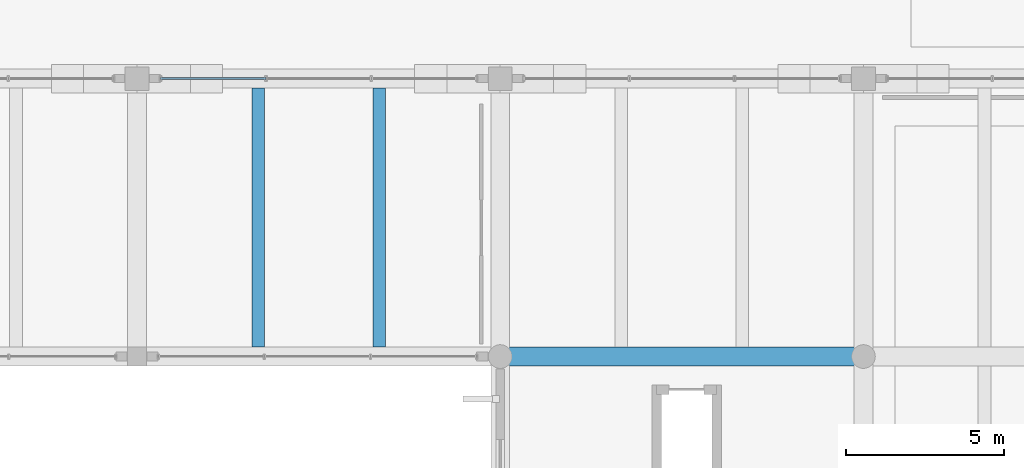
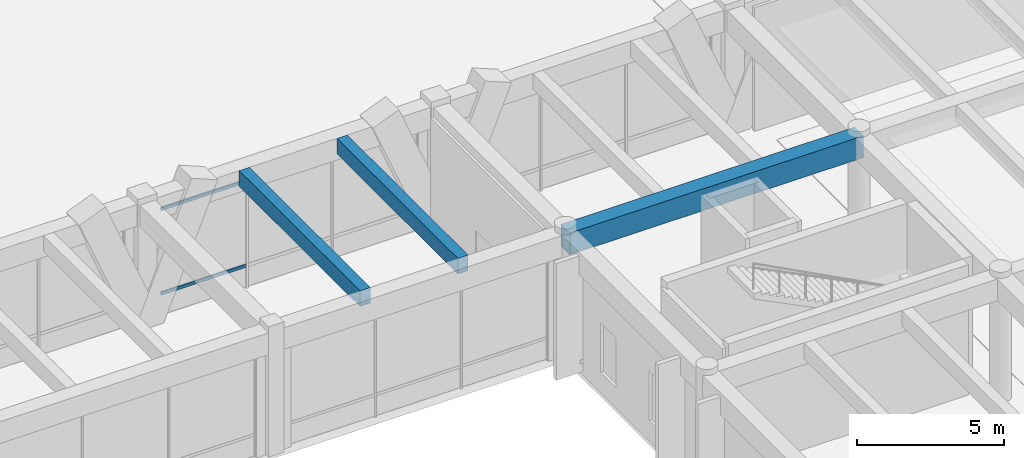
# One storey, part 20 of 148: 3 beams, 2 members, 1 element without a shape of its own.
"""IFC4 building model written with IfcOpenShell, lengths in metres."""

import ifcopenshell
import ifcopenshell.guid

model = None  # the IFC model being written
_history = None  # IfcOwnerHistory: only IFC2X3 demands one
_inside = {}  # id of a spatial element -> (the spatial element, [elements in it])
_under = {}  # id of a project, library or spatial element -> (it, [spatial elements below it])
_declared = {}  # id of a project -> (the project, [libraries it declares])
_typed = {}  # id of a type object -> (the type object, [elements of that type])
_made_of = {}  # id of a material, layer set ... -> (it, [elements and type objects made of it])


def new_model(schema):
    """Start an empty IFC model of exactly this schema.

    Asked for "IFC4X3", IfcOpenShell would pick the latest addendum, in which some entities
    have other attributes; the version numbers below select the first issue.
    IFC2X3 requires an IfcOwnerHistory on every rooted entity: one is made here for all.
    """
    global model, _history
    if schema == "IFC4X3":
        model = ifcopenshell.file(schema_version=(4, 3, 0, 0))
    else:
        model = ifcopenshell.file(schema=schema)
    _inside.clear()
    _under.clear()
    _declared.clear()
    _typed.clear()
    _made_of.clear()
    _history = None
    if model.schema == "IFC2X3":
        org = make("IfcOrganization", Name="unknown")
        user = make(
            "IfcPersonAndOrganization",
            ThePerson=make("IfcPerson", FamilyName="unknown"),
            TheOrganization=org,
        )
        app = make(
            "IfcApplication",
            ApplicationDeveloper=org,
            Version="unknown",
            ApplicationFullName="unknown",
            ApplicationIdentifier="unknown",
        )
        _history = make(
            "IfcOwnerHistory",
            OwningUser=user,
            OwningApplication=app,
            ChangeAction="ADDED",
            CreationDate=0,
        )
    return model


def make(cls, **values):
    """One entity of the class cls with the attributes given. An attribute that is None is left unset."""
    return model.create_entity(
        cls, **{name: value for name, value in values.items() if value is not None}
    )


def rooted(cls, **values):
    """An entity with a GlobalId (a new one), such as an element, a storey or a relation."""
    return make(cls, GlobalId=ifcopenshell.guid.new(), OwnerHistory=_history, **values)


def si_unit(unit_type, name, prefix=None):
    """IfcSIUnit, for example si_unit("LENGTHUNIT", "METRE", prefix="MILLI")."""
    return make("IfcSIUnit", UnitType=unit_type, Prefix=prefix, Name=name)


def assignment(units):
    """IfcUnitAssignment: the units of a project."""
    return None if units is None else make("IfcUnitAssignment", Units=units)


def point(xyz):
    """IfcCartesianPoint."""
    return None if xyz is None else make("IfcCartesianPoint", Coordinates=xyz)


def direction(xyz):
    """IfcDirection."""
    return None if xyz is None else make("IfcDirection", DirectionRatios=xyz)


def frame(location, z_axis=None, x_axis=None):
    """IfcAxis2Placement3D, a coordinate frame: its origin and axes. An axis left out is left unset."""
    return make(
        "IfcAxis2Placement3D",
        Location=point(location),
        Axis=direction(z_axis),
        RefDirection=direction(x_axis),
    )


def frame_2d(location, x_axis=None):
    """IfcAxis2Placement2D, a coordinate frame in the plane: its origin and x axis."""
    return make(
        "IfcAxis2Placement2D", Location=point(location), RefDirection=direction(x_axis)
    )


def origin():
    """The frame at (0, 0, 0) with its axes left unset."""
    return frame((0.0, 0.0, 0.0))


def origin_2d():
    """The frame at (0, 0) in the plane with its x axis left unset."""
    return frame_2d((0.0, 0.0))


def place(relative_to, where):
    """IfcLocalPlacement: puts the frame where relative to a parent placement (None: the world)."""
    return make(
        "IfcLocalPlacement", PlacementRelTo=relative_to, RelativePlacement=where
    )


def context(
    kind, dimensions, precision=None, world=None, true_north=None, identifier=None
):
    """IfcGeometricRepresentationContext, for example the 3D "Model" context."""
    return make(
        "IfcGeometricRepresentationContext",
        ContextIdentifier=identifier,
        ContextType=kind,
        CoordinateSpaceDimension=dimensions,
        Precision=precision,
        WorldCoordinateSystem=world,
        TrueNorth=true_north,
    )


def subcontext(parent, identifier, kind, view, scale=None):
    """IfcGeometricRepresentationSubContext, for example "Body" below "Model"."""
    return make(
        "IfcGeometricRepresentationSubContext",
        ContextIdentifier=identifier,
        ContextType=kind,
        ParentContext=parent,
        TargetScale=scale,
        TargetView=view,
    )


def project(units=None, contexts=None):
    """IfcProject with its units and contexts."""
    return rooted(
        "IfcProject",
        Name="project",
        RepresentationContexts=contexts,
        UnitsInContext=assignment(units),
    )


def spatial(cls, under=None, at=None, **own):
    """A site, building, storey or space (cls), placed at a placement, below another one or the project."""
    s = rooted(cls, ObjectPlacement=at, **own)
    if under is not None:
        _under.setdefault(under.id(), (under, []))[1].append(s)
    return s


def profile(cls, at=None, kind="AREA", **sizes):
    """A parametric profile (cls). Its sizes go by their IFC names, for example OverallWidth=200.0."""
    return make(cls, ProfileType=kind, Position=at, **sizes)


def rectangle(**sizes):
    """IfcRectangleProfileDef."""
    return profile("IfcRectangleProfileDef", **sizes)


def hollow_rectangle(**sizes):
    """IfcRectangleHollowProfileDef."""
    return profile("IfcRectangleHollowProfileDef", **sizes)


def extrude(swept, where, along, depth):
    """IfcExtrudedAreaSolid: the profile swept, set in the frame where, extruded along a direction by depth."""
    return make(
        "IfcExtrudedAreaSolid",
        SweptArea=swept,
        Position=where,
        ExtrudedDirection=direction(along),
        Depth=depth,
    )


def shape(context_of_items, identifier, shape_type, items):
    """IfcShapeRepresentation: the items that make up one representation, for example the "Body"."""
    return make(
        "IfcShapeRepresentation",
        ContextOfItems=context_of_items,
        RepresentationIdentifier=identifier,
        RepresentationType=shape_type,
        Items=items,
    )


def material(Name=None, Category=None):
    """IfcMaterial."""
    return make("IfcMaterial", Name=Name, Category=Category)


def material_profile(
    of_material, cross_section, Name=None, Category=None, Priority=None
):
    """IfcMaterialProfile: a cross section and its material."""
    return make(
        "IfcMaterialProfile",
        Name=Name,
        Material=of_material,
        Profile=cross_section,
        Priority=Priority,
        Category=Category,
    )


def profile_set(profiles, Name=None, composite=None):
    """IfcMaterialProfileSet."""
    return make(
        "IfcMaterialProfileSet",
        Name=Name,
        MaterialProfiles=profiles,
        CompositeProfile=composite,
    )


def made_of(thing, what):
    """Note that an element or type object is made of a material, layer set ...; save() writes the relation."""
    if what is not None:
        _made_of.setdefault(what.id(), (what, []))[1].append(thing)
    return thing


def type_object(cls, material=None, **own):
    """A type object (cls), such as IfcWallType, which elements share."""
    return made_of(rooted(cls, **own), material)


def element(
    cls,
    number,
    at=None,
    inside=None,
    cuts=None,
    type_object=None,
    material=None,
    context=None,
    identifier="Body",
    shape_type=None,
    held_by="IfcProductDefinitionShape",
    body=None,
    shapes=None,
    **own,
):
    """One element of the class cls, such as IfcWall. Its Tag is "e" and its number.

    at: its placement. inside: the storey or other place that contains it. cuts: it is an
    opening in that element (IfcRelVoidsElement). A single representation is given by context,
    identifier, shape_type and body (its items); several are given by shapes. held_by: the class
    of the entity that holds the representations. save() writes the other relations.
    """
    e = rooted(cls, Tag="e%d" % number, ObjectPlacement=at, **own)
    if body is not None:
        shapes = [shape(context, identifier, shape_type, body)]
    if shapes is not None:
        e.Representation = make(held_by, Representations=shapes)
    if inside is not None:
        _inside.setdefault(inside.id(), (inside, []))[1].append(e)
    if cuts is not None:
        rooted(
            "IfcRelVoidsElement", RelatingBuildingElement=cuts, RelatedOpeningElement=e
        )
    if type_object is not None:
        _typed.setdefault(type_object.id(), (type_object, []))[1].append(e)
    return made_of(e, material)


def aggregate(whole, parts):
    """IfcRelAggregates: a whole, such as a stair, and the parts it consists of."""
    return rooted("IfcRelAggregates", RelatingObject=whole, RelatedObjects=parts)


def save(model, path):
    """Write the relations noted so far, then the file.

    IfcRelAggregates (storeys below a building ...), IfcRelContainedInSpatialStructure (elements
    in a storey), IfcRelDefinesByType, IfcRelAssociatesMaterial and IfcRelDeclares: one each for
    every whole, place, type object, material and project.
    """
    for whole, parts in _under.values():
        aggregate(whole, parts)
    for where, things in _inside.values():
        rooted(
            "IfcRelContainedInSpatialStructure",
            RelatedElements=things,
            RelatingStructure=where,
        )
    for kind, things in _typed.values():
        rooted("IfcRelDefinesByType", RelatedObjects=things, RelatingType=kind)
    for what, things in _made_of.values():
        rooted("IfcRelAssociatesMaterial", RelatedObjects=things, RelatingMaterial=what)
    for by, libraries in _declared.values():
        rooted("IfcRelDeclares", RelatingContext=by, RelatedDefinitions=libraries)
    model.write(path)


model = new_model("IFC4")

# Units and contexts
model_context = context("Model", 3, precision=1e-05, world=origin(), true_north=direction((0.0, 1.0)))
body_context = subcontext(model_context, "Body", "Model", "MODEL_VIEW")
ifc_project = project(units=[si_unit("LENGTHUNIT", "METRE"), si_unit("AREAUNIT", "SQUARE_METRE"), si_unit("VOLUMEUNIT", "CUBIC_METRE"), si_unit("PLANEANGLEUNIT", "RADIAN"), si_unit("MASSUNIT", "GRAM", prefix="KILO")], contexts=[model_context])

# Site, building, storey
site_placement = place(None, origin())
site = spatial("IfcSite", under=ifc_project, at=site_placement, CompositionType="ELEMENT")
building_placement = place(site_placement, origin())
building = spatial("IfcBuilding", under=site, at=building_placement, Name="Ologun Quay Terminus", CompositionType="ELEMENT")
storey_placement = place(building_placement, frame((0.0, 0.0, 8.39990234375)))
storey = spatial("IfcBuildingStorey", under=building, at=storey_placement, Name="L02", CompositionType="ELEMENT", Elevation=8.39990234375)

# Curtain wall, members
ifc_material_1 = material(Name="Aluminium 6063-T6", Category="aluminium")
curtain_wall_type = type_object("IfcCurtainWallType", Name="Train Shed South Clerestory Curtain Wall 10700x5050", PredefinedType="USERDEFINED", material=ifc_material_1)
curtain_wall_placement = place(storey_placement, origin())
curtain_wall = element("IfcCurtainWall", 1, at=curtain_wall_placement, inside=storey, type_object=curtain_wall_type, Name="CW-08 Curtain Wall CW-L02-052", ObjectType="UNITISED CURTAIN WALL", PredefinedType="USERDEFINED")
ifc_material_2 = material(Name="Aluminium 6063-T6", Category="aluminium")
ifc_material_profile_1 = material_profile(ifc_material_2, hollow_rectangle(XDim=0.06005859375, YDim=0.1298828125, WallThickness=0.00390625, at=origin_2d()), Name="ALU 130x60x4")
ifc_profile_set_1 = profile_set([ifc_material_profile_1], Name="Aluminium 6063-T6")
member_type = type_object("IfcMemberType", Name="Concourse Clerestory Transom 130x60", PredefinedType="USERDEFINED", material=ifc_profile_set_1)
member_1_placement = place(storey_placement, frame((46.7451171875, 36.0, 0.900146484375), z_axis=(1.0, 0.0, 0.0), x_axis=(0.0, 1.0, 0.0)))
member_1 = element("IfcMember", 2, at=member_1_placement, type_object=member_type, Name="CW-L02-052 Transom B1-1", ObjectType="TRANSOM", PredefinedType="USERDEFINED", context=body_context, shape_type="SweptSolid", body=[
    extrude(hollow_rectangle(XDim=0.06005859375, YDim=0.1298828125, WallThickness=0.00390625, at=origin_2d()), origin(), (0.0, 0.0, 1.0), 3.336669921875),
])
member_2_placement = place(storey_placement, frame((46.7451171875, 36.0, 4.400146484375), z_axis=(1.0, 0.0, 0.0), x_axis=(0.0, 1.0, 0.0)))
member_2 = element("IfcMember", 3, at=member_2_placement, type_object=member_type, Name="CW-L02-052 Transom B1-2", ObjectType="TRANSOM", PredefinedType="USERDEFINED", context=body_context, shape_type="SweptSolid", body=[
    extrude(hollow_rectangle(XDim=0.06005859375, YDim=0.1298828125, WallThickness=0.00390625, at=origin_2d()), origin(), (0.0, 0.0, 1.0), 3.336669921875),
])
aggregate(curtain_wall, [member_1, member_2])

# Beams
ifc_material_3 = material(Name="Concrete C40/50", Category="concrete")
ifc_material_profile_2 = material_profile(ifc_material_3, rectangle(XDim=0.60009765625, YDim=0.89990234375, at=origin_2d()), Name="RC 600x900")
ifc_profile_set_2 = profile_set([ifc_material_profile_2], Name="Concrete C40/50")
beam_type_1 = type_object("IfcBeamType", Name="Station Frame Girder 600x900", PredefinedType="BEAM", material=ifc_profile_set_2)
beam_placement = place(storey_placement, frame((57.5, 27.199951171875, 4.7001953125), z_axis=(1.0, 0.0, 0.0), x_axis=(0.0, 1.0, 0.0)))
element("IfcBeam", 4, at=beam_placement, inside=storey, type_object=beam_type_1, Name="B3 Beam 6/D L02", PredefinedType="BEAM", context=body_context, shape_type="SweptSolid", body=[
    extrude(rectangle(XDim=0.60009765625, YDim=0.89990234375, at=origin_2d()), origin(), (0.0, 0.0, 1.0), 11.5),
])
ifc_material_4 = material(Name="Concrete C40/50", Category="concrete")
ifc_material_profile_3 = material_profile(ifc_material_4, rectangle(XDim=0.39990234375, YDim=0.64990234375, at=origin_2d()), Name="RC 400x650")
ifc_profile_set_3 = profile_set([ifc_material_profile_3], Name="Concrete C40/50")
beam_type_2 = type_object("IfcBeamType", Name="Station Secondary Joist 400x650", PredefinedType="JOIST", material=ifc_profile_set_3)
for number, where, z_axis, x_axis, name in (
    (5, (49.833251953125, 27.5, 4.8251953125), (0.0, 1.0, 0.0), (-1.0, 0.0, 0.0), "J1 Beam 5/D L02"),
    (6, (53.666748046875, 27.5, 4.8251953125), (0.0, 1.0, 0.0), (-1.0, 0.0, 0.0), "J1 Beam 5/D L02"),
):
    element("IfcBeam", number, at=place(storey_placement, frame(where, z_axis=z_axis, x_axis=x_axis)), inside=storey, type_object=beam_type_2, Name=name, PredefinedType="JOIST", context=body_context, shape_type="SweptSolid", body=[
        extrude(rectangle(XDim=0.39990234375, YDim=0.64990234375, at=origin_2d()), origin(), (0.0, 0.0, 1.0), 8.199951171875),
    ])

save(model, "model.ifc")
